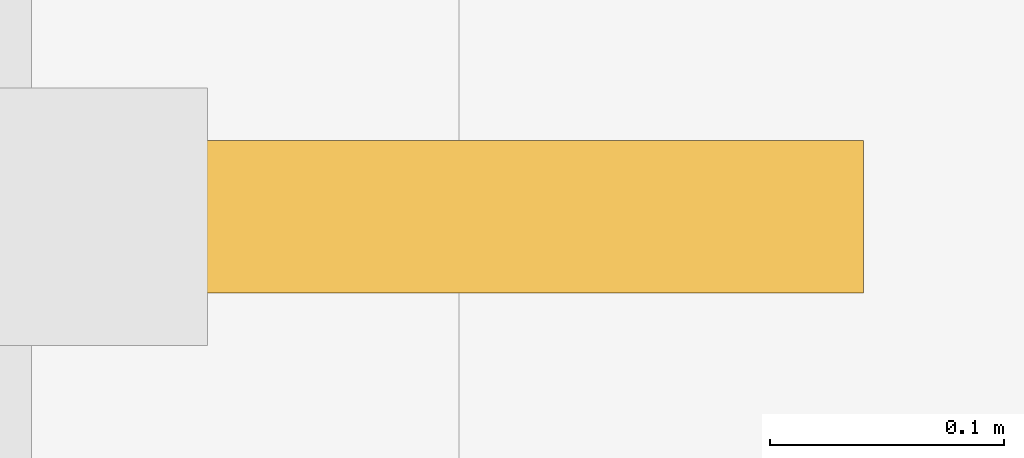
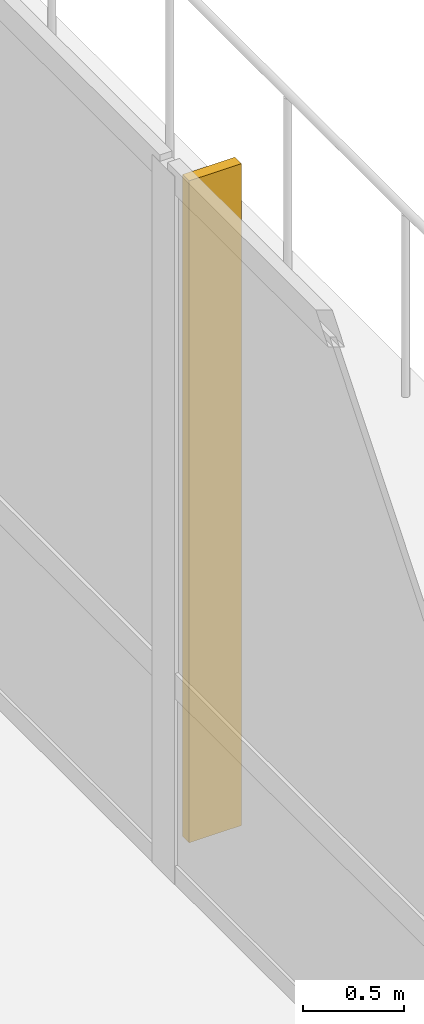
# One storey, part 28 of 28: 1 shading device.
"""IFC4 building model written with IfcOpenShell, lengths in metres."""

from ifc_helpers import new_model, si_unit, direction, frame, origin, place, context, subcontext, project, spatial, polyline, outline, extrude, material, layer, layer_set, type_object, element, save


model = new_model("IFC4")

# Units and contexts
model_context = context("Model", 3, precision=1e-05, world=origin(), true_north=direction((0.0, 1.0)))
body_context = subcontext(model_context, "Body", "Model", "MODEL_VIEW")
ifc_project = project(units=[si_unit("LENGTHUNIT", "METRE"), si_unit("AREAUNIT", "SQUARE_METRE"), si_unit("VOLUMEUNIT", "CUBIC_METRE"), si_unit("PLANEANGLEUNIT", "RADIAN"), si_unit("MASSUNIT", "GRAM", prefix="KILO")], contexts=[model_context])

# Site, building, storey
site_placement = place(None, origin())
site = spatial("IfcSite", under=ifc_project, at=site_placement, CompositionType="ELEMENT")
building_placement = place(site_placement, origin())
building = spatial("IfcBuilding", under=site, at=building_placement, Name="Qalmaran Belvedere Hotel", CompositionType="ELEMENT")
storey_placement = place(building_placement, frame((0.0, 0.0, 10.0)))
storey = spatial("IfcBuildingStorey", under=building, at=storey_placement, Name="L02", CompositionType="ELEMENT", Elevation=10.0)

# Shading device
ifc_material = material(Name="Anodised Bronze Aluminium", Category="aluminium")
ifc_layer = layer(ifc_material, 0.06494140625, Name="Anodised Bronze Aluminium")
ifc_layer_set = layer_set([ifc_layer], Name="Anodised Bronze Aluminium")
shading_device_type = type_object("IfcShadingDeviceType", Name="FIN-BRNZ-300", PredefinedType="USERDEFINED", material=ifc_layer_set)
shading_device_placement = place(storey_placement, frame((0.0, 0.0, 0.159912109375)))
element("IfcShadingDevice", 1, at=shading_device_placement, inside=storey, type_object=shading_device_type, Name="L02 Bronze Fin 5", ObjectType="FIN", PredefinedType="USERDEFINED", context=body_context, shape_type="SweptSolid", body=[
    extrude(outline(polyline([(72.87255859375, 41.737548828125), (73.172607421875, 41.737548828125), (73.172607421875, 41.802490234375), (72.87255859375, 41.802490234375), (72.87255859375, 41.737548828125)])), origin(), (0.0, 0.0, 1.0), 4.02001953125),
])

save(model, "model.ifc")
